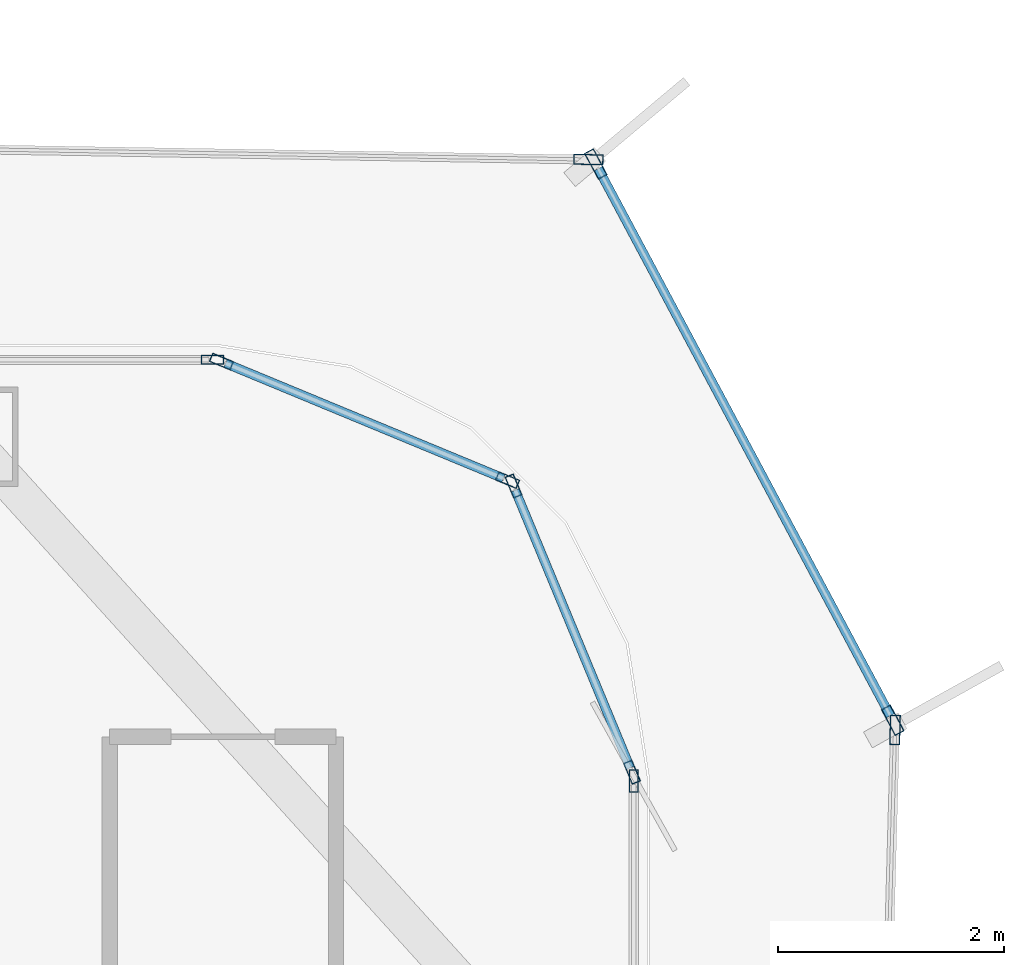
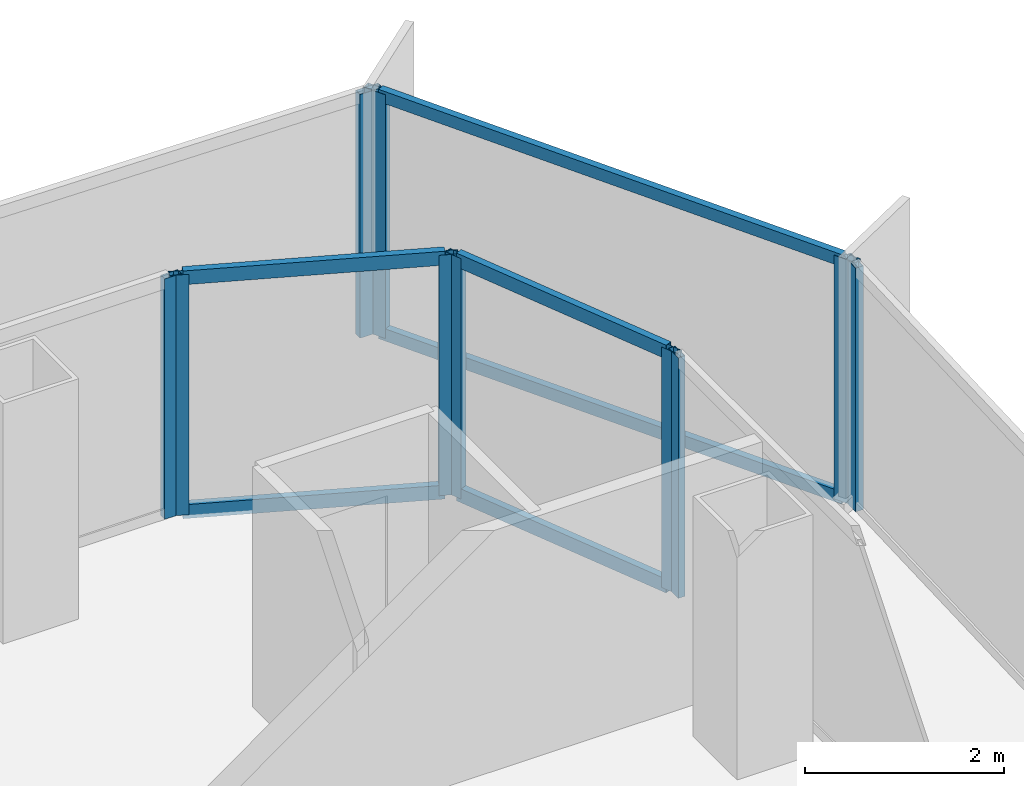
# One storey, part 14 of 21: 16 members, 7 elements without a shape of their own.
"""IFC4 building model written with IfcOpenShell, lengths in metres."""

from ifc_helpers import new_model, si_unit, direction, frame, origin, origin_2d, place, context, subcontext, project, spatial, hollow_rectangle, extrude, source, transform, mapped, material, layer, layer_set, material_profile, profile_set, type_object, element, aggregate, save


model = new_model("IFC4")

# Units and contexts
model_context = context("Model", 3, precision=1e-05, world=origin(), true_north=direction((0.0, 1.0)))
body_context = subcontext(model_context, "Body", "Model", "MODEL_VIEW")
ifc_project = project(units=[si_unit("LENGTHUNIT", "METRE"), si_unit("AREAUNIT", "SQUARE_METRE"), si_unit("VOLUMEUNIT", "CUBIC_METRE"), si_unit("PLANEANGLEUNIT", "RADIAN"), si_unit("MASSUNIT", "GRAM", prefix="KILO")], contexts=[model_context])

# Site, building, storey
site_placement = place(None, origin())
site = spatial("IfcSite", under=ifc_project, at=site_placement, CompositionType="ELEMENT")
building_placement = place(site_placement, origin())
building = spatial("IfcBuilding", under=site, at=building_placement, Name="Kolveth Station Tower", CompositionType="ELEMENT")
storey_placement = place(building_placement, frame((0.0, 0.0, 102.300048828125)))
storey = spatial("IfcBuildingStorey", under=building, at=storey_placement, Name="L27", CompositionType="ELEMENT", Elevation=102.300048828125)

# Curtain wall, member
ifc_material_1 = material(Name="Aluminium 6063-T6 and low-E dark glass", Category="aluminium")
ifc_layer_1 = layer(ifc_material_1, 0.18994140625)
ifc_layer_set_1 = layer_set([ifc_layer_1], Name="Aluminium 6063-T6 and low-E dark glass")
curtain_wall_type_1 = type_object("IfcCurtainWallType", Name="CurtainWall_CW-Z2", PredefinedType="NOTDEFINED", material=ifc_layer_set_1)
curtain_wall_1_placement = place(storey_placement, origin())
curtain_wall_1 = element("IfcCurtainWall", 1, at=curtain_wall_1_placement, inside=storey, type_object=curtain_wall_type_1, Name="L27 Inner Thermal Curtain Wall 3", PredefinedType="NOTDEFINED")
ifc_material_2 = material(Name="Black anodized aluminium 6063-T6", Category="aluminium")
ifc_material_profile_1 = material_profile(ifc_material_2, hollow_rectangle(XDim=0.080078125, YDim=0.199951171875, WallThickness=0.0048828125, at=origin_2d()), Name="ALU-80x200x5")
ifc_profile_set_1 = profile_set([ifc_material_profile_1], Name="Black anodized aluminium 6063-T6")
member_type_1 = type_object("IfcMemberType", Name="Mullion_ML2", PredefinedType="MULLION", material=ifc_profile_set_1)
shared_shape_1 = source(origin(), body_context, "Body", "SweptSolid", [
    extrude(hollow_rectangle(XDim=0.080078125, YDim=0.199951171875, WallThickness=0.0048828125, at=origin_2d()), origin(), (0.0, 0.0, 1.0), 2.949951171875),
])
member_1_placement = place(storey_placement, frame((46.8798828125, 31.4599609375, 0.0), z_axis=(0.0, 0.0, 1.0), x_axis=(-1.0, 0.0, 0.0)))
member_1 = element("IfcMember", 2, at=member_1_placement, type_object=member_type_1, Name="CW-Z2 mullion 2", PredefinedType="MULLION", context=body_context, shape_type="MappedRepresentation", body=[
    mapped(shared_shape_1, transform((0.0, 0.0, 0.0), x_axis=(1.0, 0.0, 0.0), y_axis=(0.0, 1.0, 0.0), z_axis=(0.0, 0.0, 1.0), scale=1.0)),
])
aggregate(curtain_wall_1, [member_1])

# Curtain wall, members
curtain_wall_2_placement = place(storey_placement, origin())
curtain_wall_2 = element("IfcCurtainWall", 3, at=curtain_wall_2_placement, inside=storey, type_object=curtain_wall_type_1, Name="L27 Inner Thermal Curtain Wall 4", PredefinedType="NOTDEFINED")
member_2_placement = place(storey_placement, frame((46.86474609375, 31.536865234375, 0.0), z_axis=(0.0, 0.0, 1.0), x_axis=(-0.923887883787, -0.38266326998, 0.0)))
member_2 = element("IfcMember", 4, at=member_2_placement, type_object=member_type_1, Name="CW-Z2 mullion 1", PredefinedType="MULLION", context=body_context, shape_type="MappedRepresentation", body=[
    mapped(shared_shape_1, transform((0.0, 0.0, 0.0), x_axis=(1.0, 0.0, 0.0), y_axis=(0.0, 1.0, 0.0), z_axis=(0.0, 0.0, 1.0), scale=1.0)),
])
member_3_placement = place(storey_placement, frame((45.817626953125, 34.065185546875, 0.0), z_axis=(0.0, 0.0, 1.0), x_axis=(-0.923887883787, -0.38266326998, 0.0)))
member_3 = element("IfcMember", 5, at=member_3_placement, type_object=member_type_1, Name="CW-Z2 mullion 2", PredefinedType="MULLION", context=body_context, shape_type="MappedRepresentation", body=[
    mapped(shared_shape_1, transform((0.0, 0.0, 0.0), x_axis=(1.0, 0.0, 0.0), y_axis=(0.0, 1.0, 0.0), z_axis=(0.0, 0.0, 1.0), scale=1.0)),
])

curtain_wall_3_placement = place(storey_placement, origin())
curtain_wall_3 = element("IfcCurtainWall", 6, at=curtain_wall_3_placement, inside=storey, type_object=curtain_wall_type_1, Name="L27 Inner Thermal Curtain Wall 5", PredefinedType="NOTDEFINED")
member_4_placement = place(storey_placement, frame((45.76513671875, 34.117431640625, 0.0), z_axis=(0.0, 0.0, 1.0), x_axis=(-0.38266326998, -0.923887883787, 0.0)))
member_4 = element("IfcMember", 7, at=member_4_placement, type_object=member_type_1, Name="CW-Z2 mullion 1", PredefinedType="MULLION", context=body_context, shape_type="MappedRepresentation", body=[
    mapped(shared_shape_1, transform((0.0, 0.0, 0.0), x_axis=(1.0, 0.0, 0.0), y_axis=(0.0, 1.0, 0.0), z_axis=(0.0, 0.0, 1.0), scale=1.0)),
])
member_5_placement = place(storey_placement, frame((43.237060546875, 35.164794921875, 0.0), z_axis=(0.0, 0.0, 1.0), x_axis=(-0.38266326998, -0.923887883787, 0.0)))
member_5 = element("IfcMember", 8, at=member_5_placement, type_object=member_type_1, Name="CW-Z2 mullion 2", PredefinedType="MULLION", context=body_context, shape_type="MappedRepresentation", body=[
    mapped(shared_shape_1, transform((0.0, 0.0, 0.0), x_axis=(1.0, 0.0, 0.0), y_axis=(0.0, 1.0, 0.0), z_axis=(0.0, 0.0, 1.0), scale=1.0)),
])

# Curtain wall, member
curtain_wall_4_placement = place(storey_placement, origin())
curtain_wall_4 = element("IfcCurtainWall", 9, at=curtain_wall_4_placement, inside=storey, type_object=curtain_wall_type_1, Name="L27 Inner Thermal Curtain Wall 6", PredefinedType="NOTDEFINED")
member_6_placement = place(storey_placement, frame((43.159912109375, 35.179931640625, 0.0), z_axis=(0.0, 0.0, 1.0), x_axis=(0.0, -1.0, 0.0)))
member_6 = element("IfcMember", 10, at=member_6_placement, type_object=member_type_1, Name="CW-Z2 mullion 1", PredefinedType="MULLION", context=body_context, shape_type="MappedRepresentation", body=[
    mapped(shared_shape_1, transform((0.0, 0.0, 0.0), x_axis=(1.0, 0.0, 0.0), y_axis=(0.0, 1.0, 0.0), z_axis=(0.0, 0.0, 1.0), scale=1.0)),
])
aggregate(curtain_wall_4, [member_6])

# Member
ifc_material_profile_2 = material_profile(ifc_material_2, hollow_rectangle(XDim=0.080078125, YDim=0.169921875, WallThickness=0.0048828125, at=origin_2d()), Name="ALU-80x170x5")
ifc_profile_set_2 = profile_set([ifc_material_profile_2], Name="Black anodized aluminium 6063-T6")
member_type_2 = type_object("IfcMemberType", Name="Transom_TR2", PredefinedType="USERDEFINED", material=ifc_profile_set_2)
shared_shape_2 = source(origin(), body_context, "Body", "SweptSolid", [
    extrude(hollow_rectangle(XDim=0.080078125, YDim=0.169921875, WallThickness=0.0048828125, at=origin_2d()), origin(), (0.0, 0.0, 1.0), 2.656494140625),
])
member_7_placement = place(storey_placement, frame((46.849365234375, 31.573974609375, 0.0400390625), z_axis=(-0.382676455475, 0.923882422403, 0.0), x_axis=(-0.923882422403, -0.382676455475, 0.0)))
member_7 = element("IfcMember", 11, at=member_7_placement, type_object=member_type_2, Name="CW-Z2 transom 1.1", ObjectType="TRANSOM", PredefinedType="USERDEFINED", context=body_context, shape_type="MappedRepresentation", body=[
    mapped(shared_shape_2, transform((0.0, 0.0, 0.0), x_axis=(1.0, 0.0, 0.0), y_axis=(0.0, 1.0, 0.0), z_axis=(0.0, 0.0, 1.0), scale=1.0)),
])

member_8_placement = place(storey_placement, frame((46.849365234375, 31.573974609375, 2.909912109375), z_axis=(-0.382676455475, 0.923882422403, 0.0), x_axis=(-0.923882422403, -0.382676455475, 0.0)))
member_8 = element("IfcMember", 12, at=member_8_placement, type_object=member_type_2, Name="CW-Z2 transom 1.2", ObjectType="TRANSOM", PredefinedType="USERDEFINED", context=body_context, shape_type="MappedRepresentation", body=[
    mapped(shared_shape_2, transform((0.0, 0.0, 0.0), x_axis=(1.0, 0.0, 0.0), y_axis=(0.0, 1.0, 0.0), z_axis=(0.0, 0.0, 1.0), scale=1.0)),
])

aggregate(curtain_wall_2, [member_2, member_3, member_7, member_8])

member_9_placement = place(storey_placement, frame((45.728271484375, 34.1328125, 0.0400390625), z_axis=(-0.923882422403, 0.382676455475, 0.0), x_axis=(-0.382676455475, -0.923882422403, 0.0)))
member_9 = element("IfcMember", 13, at=member_9_placement, type_object=member_type_2, Name="CW-Z2 transom 1.1", ObjectType="TRANSOM", PredefinedType="USERDEFINED", context=body_context, shape_type="MappedRepresentation", body=[
    mapped(shared_shape_2, transform((0.0, 0.0, 0.0), x_axis=(1.0, 0.0, 0.0), y_axis=(0.0, 1.0, 0.0), z_axis=(0.0, 0.0, 1.0), scale=1.0)),
])

member_10_placement = place(storey_placement, frame((45.728271484375, 34.1328125, 2.909912109375), z_axis=(-0.923882422403, 0.382676455475, 0.0), x_axis=(-0.382676455475, -0.923882422403, 0.0)))
member_10 = element("IfcMember", 14, at=member_10_placement, type_object=member_type_2, Name="CW-Z2 transom 1.2", ObjectType="TRANSOM", PredefinedType="USERDEFINED", context=body_context, shape_type="MappedRepresentation", body=[
    mapped(shared_shape_2, transform((0.0, 0.0, 0.0), x_axis=(1.0, 0.0, 0.0), y_axis=(0.0, 1.0, 0.0), z_axis=(0.0, 0.0, 1.0), scale=1.0)),
])

aggregate(curtain_wall_3, [member_4, member_5, member_9, member_10])

# Curtain wall, member
ifc_material_3 = material(Name="Black anodized aluminium 6063-T6 and dark solar glass", Category="aluminium")
ifc_layer_2 = layer(ifc_material_3, 0.159912109375)
ifc_layer_set_2 = layer_set([ifc_layer_2], Name="Black anodized aluminium 6063-T6 and dark solar glass")
curtain_wall_type_2 = type_object("IfcCurtainWallType", Name="OUTER SKIN CW-OS", PredefinedType="NOTDEFINED", material=ifc_layer_set_2)
curtain_wall_5_placement = place(storey_placement, origin())
curtain_wall_5 = element("IfcCurtainWall", 15, at=curtain_wall_5_placement, inside=storey, type_object=curtain_wall_type_2, Name="L27 Outer Ventilated Skin Curtain Wall 2", PredefinedType="NOTDEFINED")
ifc_material_profile_3 = material_profile(ifc_material_2, hollow_rectangle(XDim=0.090087890625, YDim=0.260009765625, WallThickness=0.0048828125, at=origin_2d()), Name="ALU-90x260x5")
ifc_profile_set_3 = profile_set([ifc_material_profile_3], Name="Black anodized aluminium 6063-T6")
member_type_3 = type_object("IfcMemberType", Name="FIN MULLION ML-OS", PredefinedType="MULLION", material=ifc_profile_set_3)
shared_shape_3 = source(origin(), body_context, "Body", "SweptSolid", [
    extrude(hollow_rectangle(XDim=0.090087890625, YDim=0.260009765625, WallThickness=0.0048828125, at=origin_2d()), origin(), (0.0, 0.0, 1.0), 2.989990234375),
])
member_11_placement = place(storey_placement, frame((49.1884765625, 31.910400390625, 0.0), z_axis=(0.0, 0.0, 1.0), x_axis=(-0.999617694074, 0.027648972742, 0.0)))
member_11 = element("IfcMember", 16, at=member_11_placement, type_object=member_type_3, Name="CW-OS mullion 2", PredefinedType="MULLION", context=body_context, shape_type="MappedRepresentation", body=[
    mapped(shared_shape_3, transform((0.0, 0.0, 0.0), x_axis=(1.0, 0.0, 0.0), y_axis=(0.0, 1.0, 0.0), z_axis=(0.0, 0.0, 1.0), scale=1.0)),
])
aggregate(curtain_wall_5, [member_11])

# Curtain wall, members
curtain_wall_6_placement = place(storey_placement, origin())
curtain_wall_6 = element("IfcCurtainWall", 17, at=curtain_wall_6_placement, inside=storey, type_object=curtain_wall_type_2, Name="L27 Outer Ventilated Skin Curtain Wall 3", PredefinedType="NOTDEFINED")
member_12_placement = place(storey_placement, frame((49.16845703125, 31.9951171875, 0.0), z_axis=(0.0, 0.0, 1.0), x_axis=(-0.882173404302, -0.470924712392, 0.0)))
member_12 = element("IfcMember", 18, at=member_12_placement, type_object=member_type_3, Name="CW-OS mullion 1", PredefinedType="MULLION", context=body_context, shape_type="MappedRepresentation", body=[
    mapped(shared_shape_3, transform((0.0, 0.0, 0.0), x_axis=(1.0, 0.0, 0.0), y_axis=(0.0, 1.0, 0.0), z_axis=(0.0, 0.0, 1.0), scale=1.0)),
])
member_13_placement = place(storey_placement, frame((46.545166015625, 36.909423828125, 0.0), z_axis=(0.0, 0.0, 1.0), x_axis=(-0.882173404302, -0.470924712392, 0.0)))
member_13 = element("IfcMember", 19, at=member_13_placement, type_object=member_type_3, Name="CW-OS mullion 2", PredefinedType="MULLION", context=body_context, shape_type="MappedRepresentation", body=[
    mapped(shared_shape_3, transform((0.0, 0.0, 0.0), x_axis=(1.0, 0.0, 0.0), y_axis=(0.0, 1.0, 0.0), z_axis=(0.0, 0.0, 1.0), scale=1.0)),
])

# Curtain wall, member
curtain_wall_7_placement = place(storey_placement, origin())
curtain_wall_7 = element("IfcCurtainWall", 20, at=curtain_wall_7_placement, inside=storey, type_object=curtain_wall_type_2, Name="L27 Outer Ventilated Skin Curtain Wall 4", PredefinedType="NOTDEFINED")
member_14_placement = place(storey_placement, frame((46.47900390625, 36.94970703125, 0.0), z_axis=(0.0, 0.0, 1.0), x_axis=(-0.016712390947, -0.999860338242, 0.0)))
member_14 = element("IfcMember", 21, at=member_14_placement, type_object=member_type_3, Name="CW-OS mullion 1", PredefinedType="MULLION", context=body_context, shape_type="MappedRepresentation", body=[
    mapped(shared_shape_3, transform((0.0, 0.0, 0.0), x_axis=(1.0, 0.0, 0.0), y_axis=(0.0, 1.0, 0.0), z_axis=(0.0, 0.0, 1.0), scale=1.0)),
])
aggregate(curtain_wall_7, [member_14])

# Member
ifc_material_profile_4 = material_profile(ifc_material_2, hollow_rectangle(XDim=0.080078125, YDim=0.14990234375, WallThickness=0.0048828125, at=origin_2d()), Name="ALU-80x150x5")
ifc_profile_set_4 = profile_set([ifc_material_profile_4], Name="Black anodized aluminium 6063-T6")
member_type_4 = type_object("IfcMemberType", Name="Transom_TR-OS", PredefinedType="USERDEFINED", material=ifc_profile_set_4)
shared_shape_4 = source(origin(), body_context, "Body", "SweptSolid", [
    extrude(hollow_rectangle(XDim=0.080078125, YDim=0.14990234375, WallThickness=0.0048828125, at=origin_2d()), origin(), (0.0, 0.0, 1.0), 5.48046875),
])
member_15_placement = place(storey_placement, frame((49.147216796875, 32.034912109375, 0.0400390625), z_axis=(-0.470914218681, 0.88217900601, 0.0), x_axis=(-0.88217900601, -0.470914218681, 0.0)))
member_15 = element("IfcMember", 22, at=member_15_placement, type_object=member_type_4, Name="CW-OS transom 1.1", ObjectType="TRANSOM", PredefinedType="USERDEFINED", context=body_context, shape_type="MappedRepresentation", body=[
    mapped(shared_shape_4, transform((0.0, 0.0, 0.0), x_axis=(1.0, 0.0, 0.0), y_axis=(0.0, 1.0, 0.0), z_axis=(0.0, 0.0, 1.0), scale=1.0)),
])

member_16_placement = place(storey_placement, frame((49.147216796875, 32.034912109375, 2.949951171875), z_axis=(-0.470914218681, 0.88217900601, 0.0), x_axis=(-0.88217900601, -0.470914218681, 0.0)))
member_16 = element("IfcMember", 23, at=member_16_placement, type_object=member_type_4, Name="CW-OS transom 1.2", ObjectType="TRANSOM", PredefinedType="USERDEFINED", context=body_context, shape_type="MappedRepresentation", body=[
    mapped(shared_shape_4, transform((0.0, 0.0, 0.0), x_axis=(1.0, 0.0, 0.0), y_axis=(0.0, 1.0, 0.0), z_axis=(0.0, 0.0, 1.0), scale=1.0)),
])

aggregate(curtain_wall_6, [member_12, member_13, member_15, member_16])

save(model, "model.ifc")
